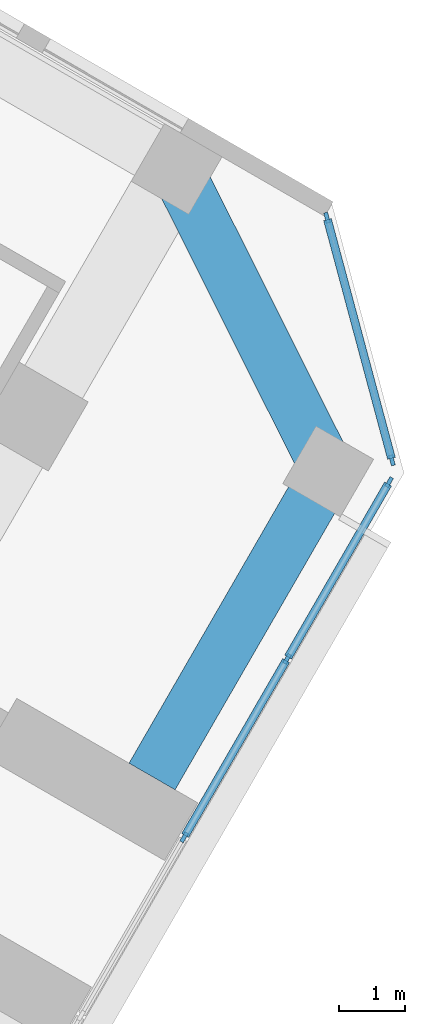
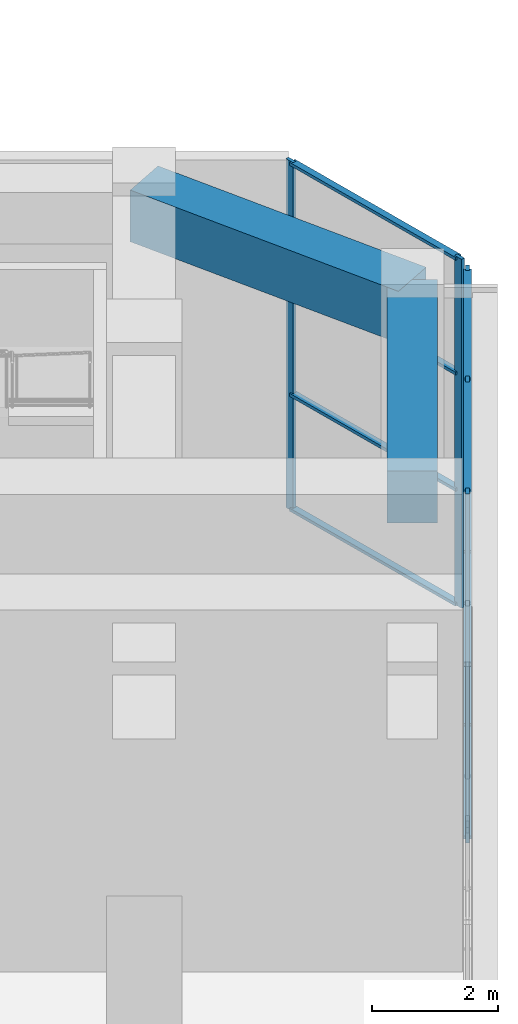
# One storey, part 8 of 17: 15 members, 2 beams, 2 elements without a shape of their own.
"""IFC4 building model written with IfcOpenShell, lengths in metres."""

from ifc_helpers import new_model, si_unit, direction, frame, origin, origin_2d, place, context, subcontext, project, spatial, rectangle, extrude, material, material_profile, profile_set, type_object, element, aggregate, save


model = new_model("IFC4")

# Units and contexts
model_context = context("Model", 3, precision=1e-05, world=origin(), true_north=direction((0.0, 1.0)))
body_context = subcontext(model_context, "Body", "Model", "MODEL_VIEW")
ifc_project = project(units=[si_unit("LENGTHUNIT", "METRE"), si_unit("AREAUNIT", "SQUARE_METRE"), si_unit("VOLUMEUNIT", "CUBIC_METRE"), si_unit("PLANEANGLEUNIT", "RADIAN"), si_unit("MASSUNIT", "GRAM", prefix="KILO")], contexts=[model_context])

# Site, building, storey
site_placement = place(None, origin())
site = spatial("IfcSite", under=ifc_project, at=site_placement, CompositionType="ELEMENT")
building_placement = place(site_placement, origin())
building = spatial("IfcBuilding", under=site, at=building_placement, Name="Kosmar Iwan School Tower", CompositionType="ELEMENT")
storey_placement = place(building_placement, frame((0.0, 0.0, 113.199951171875)))
storey = spatial("IfcBuildingStorey", under=building, at=storey_placement, Name="L28", CompositionType="ELEMENT", Elevation=113.199951171875)

# Curtain wall, members
ifc_material_1 = material(Name="Black aluminium louvres and glass", Category="aluminium")
curtain_wall_type_1 = type_object("IfcCurtainWallType", Name="Plant floor louvred curtain wall", PredefinedType="USERDEFINED", material=ifc_material_1)
curtain_wall_1_placement = place(storey_placement, origin())
curtain_wall_1 = element("IfcCurtainWall", 1, at=curtain_wall_1_placement, inside=storey, type_object=curtain_wall_type_1, Name="Curtain wall L28-F03", ObjectType="LOUVRED CURTAIN WALL", PredefinedType="USERDEFINED")
ifc_material_2 = material(Name="Black anodised aluminium", Category="aluminium")
ifc_material_profile_1 = material_profile(ifc_material_2, rectangle(XDim=0.06005859375, YDim=0.159912109375, at=origin_2d()), Name="MULLION 60x160")
ifc_profile_set_1 = profile_set([ifc_material_profile_1], Name="Black anodised aluminium")
member_type_1 = type_object("IfcMemberType", Name="Mullion 60x160", PredefinedType="MULLION", material=ifc_profile_set_1)
member_1_placement = place(storey_placement, frame((30.631103515625, -15.8955078125, 0.0), z_axis=(0.0, 0.0, 1.0), x_axis=(-0.866025405329, 0.499999997325, 0.0)))
member_1 = element("IfcMember", 2, at=member_1_placement, type_object=member_type_1, Name="CW4 mullion 4", PredefinedType="MULLION", context=body_context, shape_type="SweptSolid", body=[
    extrude(rectangle(XDim=0.06005859375, YDim=0.159912109375, at=origin_2d()), origin(), (0.0, 0.0, 1.0), 6.75),
])
member_2_placement = place(storey_placement, frame((32.1806640625, -13.21142578125, 0.0), z_axis=(0.0, 0.0, 1.0), x_axis=(-0.866025405329, 0.499999997325, 0.0)))
member_2 = element("IfcMember", 3, at=member_2_placement, type_object=member_type_1, Name="CW4 mullion 5", PredefinedType="MULLION", context=body_context, shape_type="SweptSolid", body=[
    extrude(rectangle(XDim=0.06005859375, YDim=0.159912109375, at=origin_2d()), origin(), (0.0, 0.0, 1.0), 6.75),
])
member_3_placement = place(storey_placement, frame((33.71533203125, -10.55322265625, 0.0), z_axis=(0.0, 0.0, 1.0), x_axis=(-0.866025405329, 0.499999997325, 0.0)))
member_3 = element("IfcMember", 4, at=member_3_placement, type_object=member_type_1, Name="CW4 mullion 6", PredefinedType="MULLION", context=body_context, shape_type="SweptSolid", body=[
    extrude(rectangle(XDim=0.06005859375, YDim=0.159912109375, at=origin_2d()), origin(), (0.0, 0.0, 1.0), 6.75),
])

ifc_material_3 = material(Name="Dark glass in black aluminium frame", Category="aluminium")
curtain_wall_type_2 = type_object("IfcCurtainWallType", Name="Chamfer curtain wall dark glass", PredefinedType="USERDEFINED", material=ifc_material_3)
curtain_wall_2_placement = place(storey_placement, origin())
curtain_wall_2 = element("IfcCurtainWall", 5, at=curtain_wall_2_placement, inside=storey, type_object=curtain_wall_type_2, Name="Curtain wall L28-F04", ObjectType="FACETED CURTAIN WALL", PredefinedType="USERDEFINED")
member_4_placement = place(storey_placement, frame((33.7587890625, -10.2236328125, 0.0), z_axis=(0.0, 0.0, 1.0), x_axis=(-0.965925875495, -0.258818861462, 0.0)))
member_4 = element("IfcMember", 6, at=member_4_placement, type_object=member_type_1, Name="CW2 mullion 1", PredefinedType="MULLION", context=body_context, shape_type="SweptSolid", body=[
    extrude(rectangle(XDim=0.06005859375, YDim=0.159912109375, at=origin_2d()), origin(), (0.0, 0.0, 1.0), 6.75),
])
member_5_placement = place(storey_placement, frame((32.78076171875, -6.5732421875, 0.0), z_axis=(0.0, 0.0, 1.0), x_axis=(-0.965925875495, -0.258818861462, 0.0)))
member_5 = element("IfcMember", 7, at=member_5_placement, type_object=member_type_1, Name="CW2 mullion 2", PredefinedType="MULLION", context=body_context, shape_type="SweptSolid", body=[
    extrude(rectangle(XDim=0.06005859375, YDim=0.159912109375, at=origin_2d()), origin(), (0.0, 0.0, 1.0), 6.75),
])

# Beams
ifc_material_4 = material(Name="Concrete C50/60", Category="concrete")
ifc_material_profile_2 = material_profile(ifc_material_4, rectangle(XDim=0.800048828125, YDim=1.0, at=origin_2d()), Name="RC 800x1000")
ifc_profile_set_2 = profile_set([ifc_material_profile_2], Name="Concrete C50/60")
beam_type = type_object("IfcBeamType", Name="RC tip beam 800x1000", PredefinedType="BEAM", material=ifc_profile_set_2)
beam_1_placement = place(storey_placement, frame((30.517822265625, -5.841552734375, 6.25), z_axis=(0.44809604203, -0.893985423325, 0.0), x_axis=(0.893985423325, 0.44809604203, 0.0)))
element("IfcBeam", 8, at=beam_1_placement, inside=storey, type_object=beam_type, Name="Tip beam CL", PredefinedType="BEAM", context=body_context, shape_type="SweptSolid", body=[
    extrude(rectangle(XDim=0.800048828125, YDim=1.0, at=origin_2d()), origin(), (0.0, 0.0, 1.0), 5.08935546875),
])
beam_2_placement = place(storey_placement, frame((32.79833984375, -10.391357421875, 6.25), z_axis=(-0.499973660256, -0.866040610509, 0.0), x_axis=(0.866040610509, -0.499973660256, 0.0)))
element("IfcBeam", 9, at=beam_2_placement, inside=storey, type_object=beam_type, Name="Tip beam CL to corridor wall", PredefinedType="BEAM", context=body_context, shape_type="SweptSolid", body=[
    extrude(rectangle(XDim=0.800048828125, YDim=1.0, at=origin_2d()), origin(), (0.0, 0.0, 1.0), 5.300048828125),
])

# Member
ifc_material_5 = material(Name="Black anodised aluminium", Category="aluminium")
ifc_material_profile_3 = material_profile(ifc_material_5, rectangle(XDim=0.1201171875, YDim=0.06005859375, at=origin_2d()), Name="TRANSOM 60x120")
ifc_profile_set_3 = profile_set([ifc_material_profile_3], Name="Black anodised aluminium")
member_type_2 = type_object("IfcMemberType", Name="Transom 60x120", PredefinedType="USERDEFINED", material=ifc_profile_set_3)
member_6_placement = place(storey_placement, frame((30.64599609375, -15.869384765625, 0.030029296875), z_axis=(0.500035348339, 0.866004994449, 0.0), x_axis=(-0.866004994449, 0.500035348339, 0.0)))
member_6 = element("IfcMember", 10, at=member_6_placement, type_object=member_type_2, Name="CW4 transom 4.1", ObjectType="TRANSOM", PredefinedType="USERDEFINED", context=body_context, shape_type="SweptSolid", body=[
    extrude(rectangle(XDim=0.1201171875, YDim=0.06005859375, at=origin_2d()), origin(), (0.0, 0.0, 1.0), 3.039306640625),
])

member_7_placement = place(storey_placement, frame((30.64599609375, -15.869384765625, 3.375), z_axis=(0.500035348339, 0.866004994449, 0.0), x_axis=(-0.866004994449, 0.500035348339, 0.0)))
member_7 = element("IfcMember", 11, at=member_7_placement, type_object=member_type_2, Name="CW4 transom 4.2", ObjectType="TRANSOM", PredefinedType="USERDEFINED", context=body_context, shape_type="SweptSolid", body=[
    extrude(rectangle(XDim=0.1201171875, YDim=0.06005859375, at=origin_2d()), origin(), (0.0, 0.0, 1.0), 3.039306640625),
])

member_8_placement = place(storey_placement, frame((30.64599609375, -15.869384765625, 6.719970703125), z_axis=(0.500035348339, 0.866004994449, 0.0), x_axis=(-0.866004994449, 0.500035348339, 0.0)))
member_8 = element("IfcMember", 12, at=member_8_placement, type_object=member_type_2, Name="CW4 transom 4.3", ObjectType="TRANSOM", PredefinedType="USERDEFINED", context=body_context, shape_type="SweptSolid", body=[
    extrude(rectangle(XDim=0.1201171875, YDim=0.06005859375, at=origin_2d()), origin(), (0.0, 0.0, 1.0), 3.039306640625),
])

member_9_placement = place(storey_placement, frame((32.19580078125, -13.185302734375, 0.030029296875), z_axis=(0.500022102064, 0.866012642776, 0.0), x_axis=(-0.866012642776, 0.500022102064, 0.0)))
member_9 = element("IfcMember", 13, at=member_9_placement, type_object=member_type_2, Name="CW4 transom 5.1", ObjectType="TRANSOM", PredefinedType="USERDEFINED", context=body_context, shape_type="SweptSolid", body=[
    extrude(rectangle(XDim=0.1201171875, YDim=0.06005859375, at=origin_2d()), origin(), (0.0, 0.0, 1.0), 3.009033203125),
])

member_10_placement = place(storey_placement, frame((32.19580078125, -13.185302734375, 3.375), z_axis=(0.500022102064, 0.866012642776, 0.0), x_axis=(-0.866012642776, 0.500022102064, 0.0)))
member_10 = element("IfcMember", 14, at=member_10_placement, type_object=member_type_2, Name="CW4 transom 5.2", ObjectType="TRANSOM", PredefinedType="USERDEFINED", context=body_context, shape_type="SweptSolid", body=[
    extrude(rectangle(XDim=0.1201171875, YDim=0.06005859375, at=origin_2d()), origin(), (0.0, 0.0, 1.0), 3.009033203125),
])

member_11_placement = place(storey_placement, frame((32.19580078125, -13.185302734375, 6.719970703125), z_axis=(0.500022102064, 0.866012642776, 0.0), x_axis=(-0.866012642776, 0.500022102064, 0.0)))
member_11 = element("IfcMember", 15, at=member_11_placement, type_object=member_type_2, Name="CW4 transom 5.3", ObjectType="TRANSOM", PredefinedType="USERDEFINED", context=body_context, shape_type="SweptSolid", body=[
    extrude(rectangle(XDim=0.1201171875, YDim=0.06005859375, at=origin_2d()), origin(), (0.0, 0.0, 1.0), 3.009033203125),
])

aggregate(curtain_wall_1, [member_1, member_2, member_3, member_6, member_7, member_8, member_9, member_10, member_11])

member_12_placement = place(storey_placement, frame((33.7509765625, -10.194580078125, 0.030029296875), z_axis=(-0.258843273983, 0.965919333854, 0.0), x_axis=(-0.965919333854, -0.258843273983, 0.0)))
member_12 = element("IfcMember", 16, at=member_12_placement, type_object=member_type_2, Name="CW2 transom 1.1", ObjectType="TRANSOM", PredefinedType="USERDEFINED", context=body_context, shape_type="SweptSolid", body=[
    extrude(rectangle(XDim=0.1201171875, YDim=0.06005859375, at=origin_2d()), origin(), (0.0, 0.0, 1.0), 3.718994140625),
])

member_13_placement = place(storey_placement, frame((33.7509765625, -10.194580078125, 2.25), z_axis=(-0.258843273983, 0.965919333854, 0.0), x_axis=(-0.965919333854, -0.258843273983, 0.0)))
member_13 = element("IfcMember", 17, at=member_13_placement, type_object=member_type_2, Name="CW2 transom 1.2", ObjectType="TRANSOM", PredefinedType="USERDEFINED", context=body_context, shape_type="SweptSolid", body=[
    extrude(rectangle(XDim=0.1201171875, YDim=0.06005859375, at=origin_2d()), origin(), (0.0, 0.0, 1.0), 3.718994140625),
])

member_14_placement = place(storey_placement, frame((33.7509765625, -10.194580078125, 4.5), z_axis=(-0.258843273983, 0.965919333854, 0.0), x_axis=(-0.965919333854, -0.258843273983, 0.0)))
member_14 = element("IfcMember", 18, at=member_14_placement, type_object=member_type_2, Name="CW2 transom 1.3", ObjectType="TRANSOM", PredefinedType="USERDEFINED", context=body_context, shape_type="SweptSolid", body=[
    extrude(rectangle(XDim=0.1201171875, YDim=0.06005859375, at=origin_2d()), origin(), (0.0, 0.0, 1.0), 3.718994140625),
])

member_15_placement = place(storey_placement, frame((33.7509765625, -10.194580078125, 6.719970703125), z_axis=(-0.258843273983, 0.965919333854, 0.0), x_axis=(-0.965919333854, -0.258843273983, 0.0)))
member_15 = element("IfcMember", 19, at=member_15_placement, type_object=member_type_2, Name="CW2 transom 1.4", ObjectType="TRANSOM", PredefinedType="USERDEFINED", context=body_context, shape_type="SweptSolid", body=[
    extrude(rectangle(XDim=0.1201171875, YDim=0.06005859375, at=origin_2d()), origin(), (0.0, 0.0, 1.0), 3.718994140625),
])

aggregate(curtain_wall_2, [member_4, member_5, member_12, member_13, member_14, member_15])

save(model, "model.ifc")
